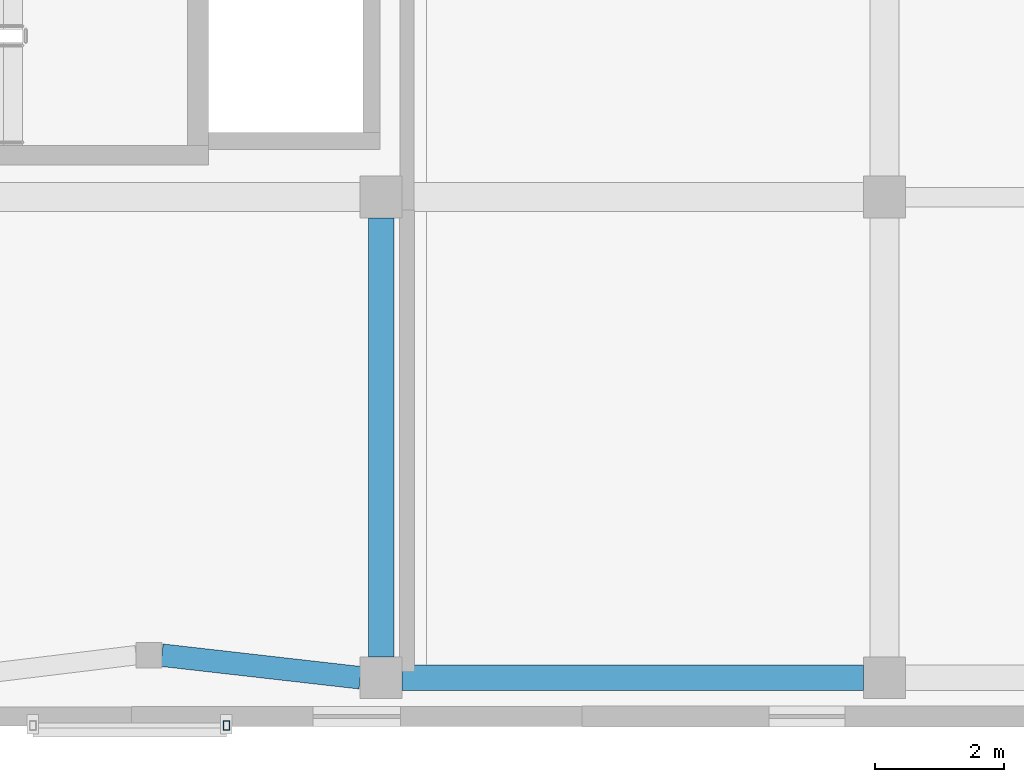
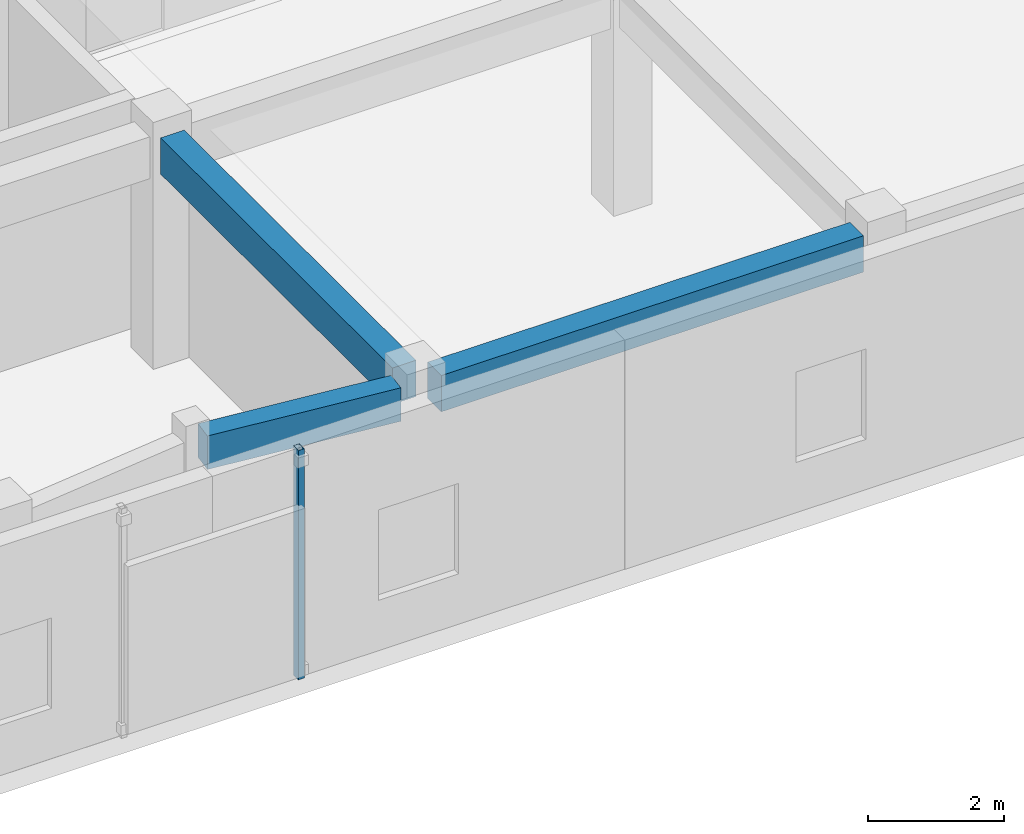
# One storey, part 49 of 142: 3 beams, 1 member.
"""IFC4 building model written with IfcOpenShell, lengths in metres."""

from ifc_helpers import new_model, si_unit, direction, frame, origin, origin_2d, place, context, subcontext, project, spatial, rectangle, hollow_rectangle, extrude, material, material_profile, profile_set, type_object, element, save


model = new_model("IFC4")

# Units and contexts
model_context = context("Model", 3, precision=1e-05, world=origin(), true_north=direction((0.0, 1.0)))
body_context = subcontext(model_context, "Body", "Model", "MODEL_VIEW")
ifc_project = project(units=[si_unit("LENGTHUNIT", "METRE"), si_unit("AREAUNIT", "SQUARE_METRE"), si_unit("VOLUMEUNIT", "CUBIC_METRE"), si_unit("PLANEANGLEUNIT", "RADIAN"), si_unit("MASSUNIT", "GRAM", prefix="KILO")], contexts=[model_context])

# Site, building, storey
site_placement = place(None, origin())
site = spatial("IfcSite", under=ifc_project, at=site_placement, CompositionType="ELEMENT")
building_placement = place(site_placement, origin())
building = spatial("IfcBuilding", under=site, at=building_placement, Name="Valcora Specialist Clinic", CompositionType="ELEMENT")
storey_placement = place(building_placement, frame((0.0, 0.0, 5.10009765625)))
storey = spatial("IfcBuildingStorey", under=building, at=storey_placement, Name="L01", CompositionType="ELEMENT", Elevation=5.10009765625)

# Beams
ifc_material_1 = material(Name="Concrete C40/50", Category="concrete")
ifc_material_profile_1 = material_profile(ifc_material_1, rectangle(XDim=0.35009765625, YDim=0.60009765625, at=origin_2d()), Name="RC-BM-350X600")
ifc_profile_set_1 = profile_set([ifc_material_profile_1], Name="Concrete C40/50")
beam_type_1 = type_object("IfcBeamType", Name="TY-BM-RC350X600", PredefinedType="BEAM", material=ifc_profile_set_1)
beam_1_placement = place(storey_placement, frame((96.0, 1.10009765625, 3.804931640625), z_axis=(0.993580893822, -0.113123858812, 0.0), x_axis=(0.113123858812, 0.993580893822, 0.0)))
element("IfcBeam", 1, at=beam_1_placement, inside=storey, type_object=beam_type_1, Name="Beam BM-L01-1298", PredefinedType="BEAM", context=body_context, shape_type="SweptSolid", body=[
    extrude(rectangle(XDim=0.35009765625, YDim=0.60009765625, at=origin_2d()), origin(), (0.0, 0.0, 1.0), 3.0947265625),
])
ifc_material_profile_2 = material_profile(ifc_material_1, rectangle(XDim=0.39990234375, YDim=0.64990234375, at=origin_2d()), Name="RC-BM-400X650")
ifc_profile_set_2 = profile_set([ifc_material_profile_2], Name="Concrete C40/50")
beam_type_2 = type_object("IfcBeamType", Name="TY-BM-RC400X650", PredefinedType="BEAM", material=ifc_profile_set_2)
beam_2_placement = place(storey_placement, frame((99.72509765625, 0.75, 3.77978515625), z_axis=(1.0, 0.0, 0.0), x_axis=(0.0, 1.0, 0.0)))
element("IfcBeam", 2, at=beam_2_placement, inside=storey, type_object=beam_type_2, Name="Beam BM-L01-1299", PredefinedType="BEAM", context=body_context, shape_type="SweptSolid", body=[
    extrude(rectangle(XDim=0.39990234375, YDim=0.64990234375, at=origin_2d()), origin(), (0.0, 0.0, 1.0), 7.14990234375),
])
beam_3_placement = place(storey_placement, frame((99.39990234375, 1.074951171875, 3.77978515625), z_axis=(0.0, 1.0, 0.0), x_axis=(-1.0, 0.0, 0.0)))
element("IfcBeam", 3, at=beam_3_placement, inside=storey, type_object=beam_type_2, Name="Beam BM-L01-1345", PredefinedType="BEAM", context=body_context, shape_type="SweptSolid", body=[
    extrude(rectangle(XDim=0.39990234375, YDim=0.64990234375, at=origin_2d()), origin(), (0.0, 0.0, 1.0), 6.800048828125),
])

# Member
ifc_material_2 = material(Name="Steel ASTM A500 Grade C", Category="steel")
ifc_material_profile_3 = material_profile(ifc_material_2, hollow_rectangle(XDim=0.10009765625, YDim=0.14990234375, WallThickness=0.006103515625, at=origin_2d()), Name="ST-RHS-150X100X6")
ifc_profile_set_3 = profile_set([ifc_material_profile_3], Name="Steel ASTM A500 Grade C")
member_type = type_object("IfcMemberType", Name="TY-MB-SFPOST", PredefinedType="POST", material=ifc_profile_set_3)
member_placement = place(storey_placement, frame((97.0, 0.010009765625, 0.0), z_axis=(0.0, 0.0, 1.0), x_axis=(1.0, 0.0, 0.0)))
element("IfcMember", 4, at=member_placement, inside=storey, type_object=member_type, Name="Brick screen carrier post 78", PredefinedType="POST", context=body_context, shape_type="SweptSolid", body=[
    extrude(hollow_rectangle(XDim=0.10009765625, YDim=0.14990234375, WallThickness=0.006103515625, at=origin_2d()), origin(), (0.0, 0.0, 1.0), 4.10498046875),
])

save(model, "model.ifc")
